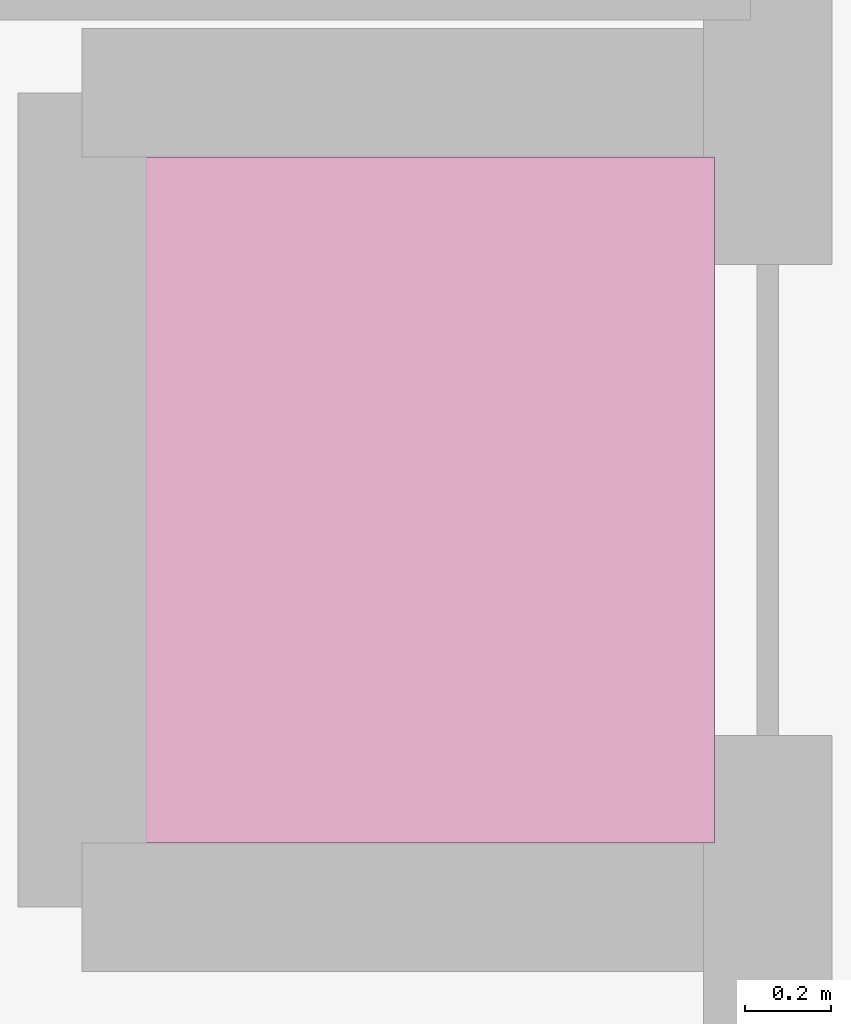
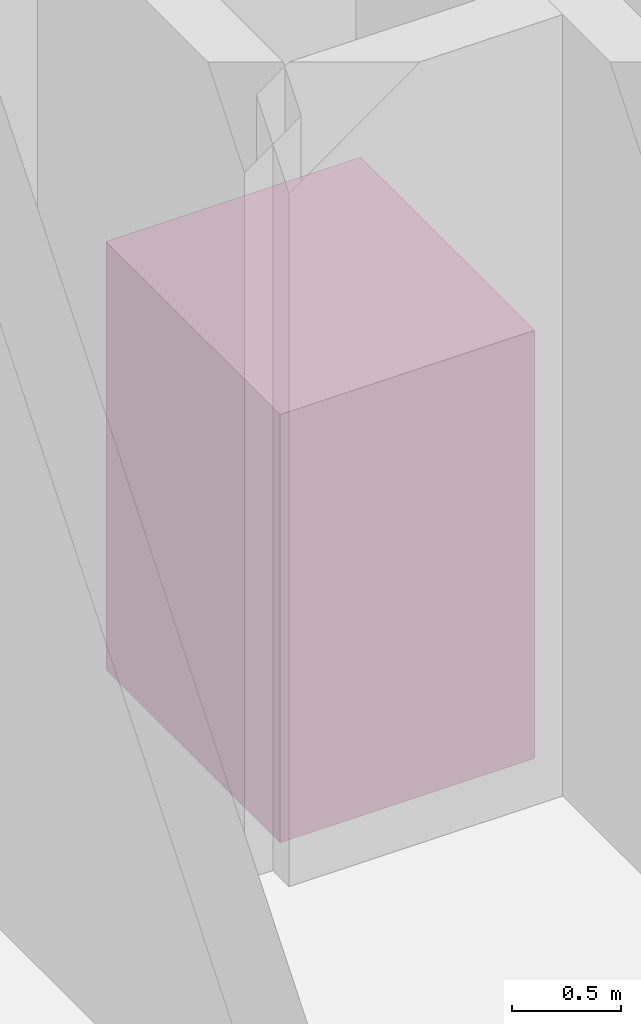
# One storey, part 11 of 11: 1 transport element.
"""IFC4 building model written with IfcOpenShell, lengths in metres."""

from ifc_helpers import new_model, si_unit, direction, frame, origin, origin_2d, place, context, subcontext, project, spatial, rectangle, extrude, material, type_object, element, save


model = new_model("IFC4")

# Units and contexts
model_context = context("Model", 3, precision=1e-05, world=origin(), true_north=direction((0.0, 1.0)))
body_context = subcontext(model_context, "Body", "Model", "MODEL_VIEW")
ifc_project = project(units=[si_unit("LENGTHUNIT", "METRE"), si_unit("AREAUNIT", "SQUARE_METRE"), si_unit("VOLUMEUNIT", "CUBIC_METRE"), si_unit("PLANEANGLEUNIT", "RADIAN"), si_unit("MASSUNIT", "GRAM", prefix="KILO")], contexts=[model_context])

# Site, building, storey
site_placement = place(None, origin())
site = spatial("IfcSite", under=ifc_project, at=site_placement, CompositionType="ELEMENT")
building_placement = place(site_placement, origin())
building = spatial("IfcBuilding", under=site, at=building_placement, Name="Terralouvre Media Tower", CompositionType="ELEMENT")
storey_placement = place(building_placement, frame((0.0, 0.0, 322.0)))
storey = spatial("IfcBuildingStorey", under=building, at=storey_placement, Name="L83", CompositionType="ELEMENT", Elevation=322.0)

# Transport element
ifc_material = material(Name="Stainless steel 316 handrail and balustrade", Category="steel")
transport_element_type = type_object("IfcTransportElementType", Name="Crown Maintenance Service Lift Car CSL-CAR", PredefinedType="ELEVATOR", material=ifc_material)
transport_element_placement = place(storey_placement, frame((-2.47998046875, 0.25, 0.02001953125), z_axis=(0.0, 0.0, 1.0), x_axis=(1.0, 0.0, 0.0)))
element("IfcTransportElement", 1, at=transport_element_placement, inside=storey, type_object=transport_element_type, Name="Vertical Lift Car CSL-01", PredefinedType="ELEVATOR", context=body_context, shape_type="SweptSolid", body=[
    extrude(rectangle(XDim=1.35009765625, YDim=1.60009765625, at=origin_2d()), origin(), (0.0, 0.0, 1.0), 2.39990234375),
])

save(model, "model.ifc")
